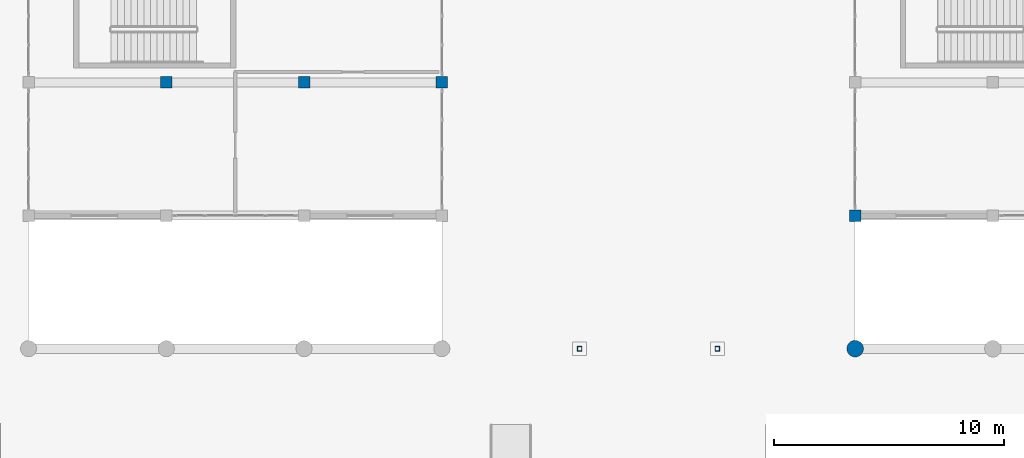
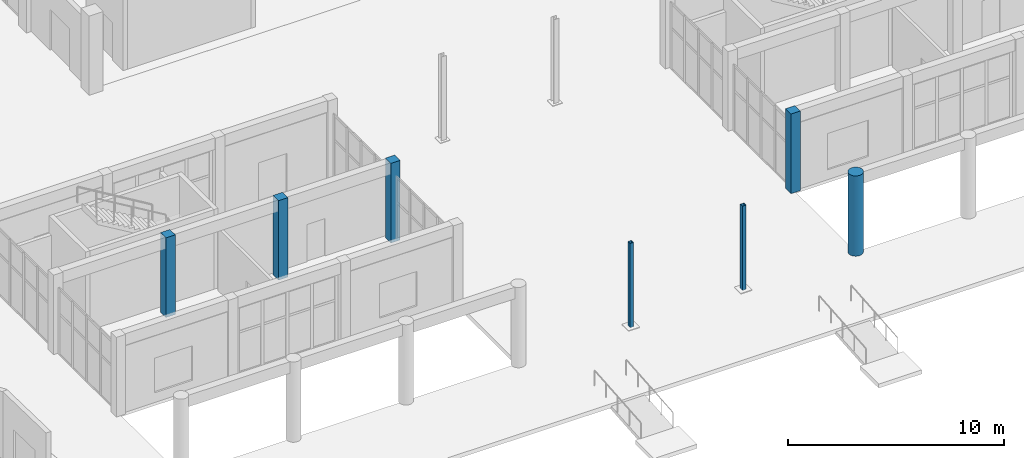
# One storey, part 2 of 132: 7 columns.
"""IFC4 building model written with IfcOpenShell, lengths in metres."""

from ifc_helpers import new_model, si_unit, direction, frame, origin, origin_2d, place, context, subcontext, project, spatial, rectangle, hollow_rectangle, circle, extrude, material, material_profile, profile_set, type_object, element, save


model = new_model("IFC4")

# Units and contexts
model_context = context("Model", 3, precision=1e-05, world=origin(), true_north=direction((0.0, 1.0)))
body_context = subcontext(model_context, "Body", "Model", "MODEL_VIEW")
ifc_project = project(units=[si_unit("LENGTHUNIT", "METRE"), si_unit("AREAUNIT", "SQUARE_METRE"), si_unit("VOLUMEUNIT", "CUBIC_METRE"), si_unit("PLANEANGLEUNIT", "RADIAN"), si_unit("MASSUNIT", "GRAM", prefix="KILO")], contexts=[model_context])

# Site, building, storey
site_placement = place(None, origin())
site = spatial("IfcSite", under=ifc_project, at=site_placement, CompositionType="ELEMENT")
building_placement = place(site_placement, origin())
building = spatial("IfcBuilding", under=site, at=building_placement, Name="Tanwirah Colonnade Gardens", CompositionType="ELEMENT")
storey_placement = place(building_placement, origin())
storey = spatial("IfcBuildingStorey", under=building, at=storey_placement, Name="L00", CompositionType="ELEMENT", Elevation=0.0)

# Columns
ifc_material_1 = material(Name="Precast concrete C40/50", Category="concrete")
ifc_material_profile_1 = material_profile(ifc_material_1, rectangle(XDim=0.5, YDim=0.5, at=origin_2d()), Name="PC-COL 500x500")
ifc_profile_set_1 = profile_set([ifc_material_profile_1], Name="Precast concrete C40/50")
column_type_1 = type_object("IfcColumnType", Name="C-PC500", PredefinedType="COLUMN", material=ifc_profile_set_1)
for number, where, z_axis, x_axis, name in (
    (1, (72.0, 22.39990234375, 0.0), (0.0, 0.0, 1.0), (1.0, 0.0, 0.0), "Boulevard Shops W L00 Column 1.2"),
    (2, (78.0, 22.39990234375, 0.0), (0.0, 0.0, 1.0), (1.0, 0.0, 0.0), "Boulevard Shops W L00 Column 2.2"),
    (3, (84.0, 22.39990234375, 0.0), (0.0, 0.0, 1.0), (1.0, 0.0, 0.0), "Boulevard Shops W L00 Column 3.2"),
    (4, (102.0, 16.60009765625, 0.0), (0.0, 0.0, 1.0), (1.0, 0.0, 0.0), "Boulevard Shops E L00 Column 0.1"),
):
    element("IfcColumn", number, at=place(storey_placement, frame(where, z_axis=z_axis, x_axis=x_axis)), inside=storey, type_object=column_type_1, Name=name, PredefinedType="COLUMN", context=body_context, shape_type="SweptSolid", body=[
        extrude(rectangle(XDim=0.5, YDim=0.5, at=origin_2d()), origin(), (0.0, 0.0, 1.0), 4.489990234375),
    ])
ifc_material_2 = material(Name="Precast concrete C45/55", Category="concrete")
ifc_material_profile_2 = material_profile(ifc_material_2, circle(Radius=0.360107421875, at=origin_2d()), Name="PC-DCOL D720")
ifc_profile_set_2 = profile_set([ifc_material_profile_2], Name="Precast concrete C45/55")
column_type_2 = type_object("IfcColumnType", Name="DCOL-650", PredefinedType="COLUMN", material=ifc_profile_set_2)
column_placement = place(storey_placement, frame((102.0, 10.800048828125, 0.0), z_axis=(0.0, 0.0, 1.0), x_axis=(1.0, 0.0, 0.0)))
element("IfcColumn", 5, at=column_placement, inside=storey, type_object=column_type_2, Name="Boulevard Shops E L00 Column 0.0", PredefinedType="COLUMN", context=body_context, shape_type="SweptSolid", body=[
    extrude(circle(Radius=0.360107421875, at=origin_2d()), origin(), (0.0, 0.0, 1.0), 4.530029296875),
])
ifc_material_3 = material(Name="Steel S355", Category="steel")
ifc_material_profile_3 = material_profile(ifc_material_3, hollow_rectangle(XDim=0.199951171875, YDim=0.199951171875, WallThickness=0.012451171875, at=origin_2d()), Name="SHS 200x200x12.5")
ifc_profile_set_3 = profile_set([ifc_material_profile_3], Name="Steel S355")
column_type_3 = type_object("IfcColumnType", Name="SCOL-SHS200", PredefinedType="COLUMN", material=ifc_profile_set_3)
for number, where, z_axis, x_axis, name in (
    (6, (90.0, 10.800048828125, 0.0), (0.0, 0.0, 1.0), (1.0, 0.0, 0.0), "Forecourt Canopy Lower Steel Column 1.0"),
    (7, (96.0, 10.800048828125, 0.0), (0.0, 0.0, 1.0), (1.0, 0.0, 0.0), "Forecourt Canopy Lower Steel Column 2.0"),
):
    element("IfcColumn", number, at=place(storey_placement, frame(where, z_axis=z_axis, x_axis=x_axis)), inside=storey, type_object=column_type_3, Name=name, PredefinedType="COLUMN", context=body_context, shape_type="SweptSolid", body=[
        extrude(hollow_rectangle(XDim=0.199951171875, YDim=0.199951171875, WallThickness=0.012451171875, at=origin_2d()), origin(), (0.0, 0.0, 1.0), 4.760009765625),
    ])

save(model, "model.ifc")
